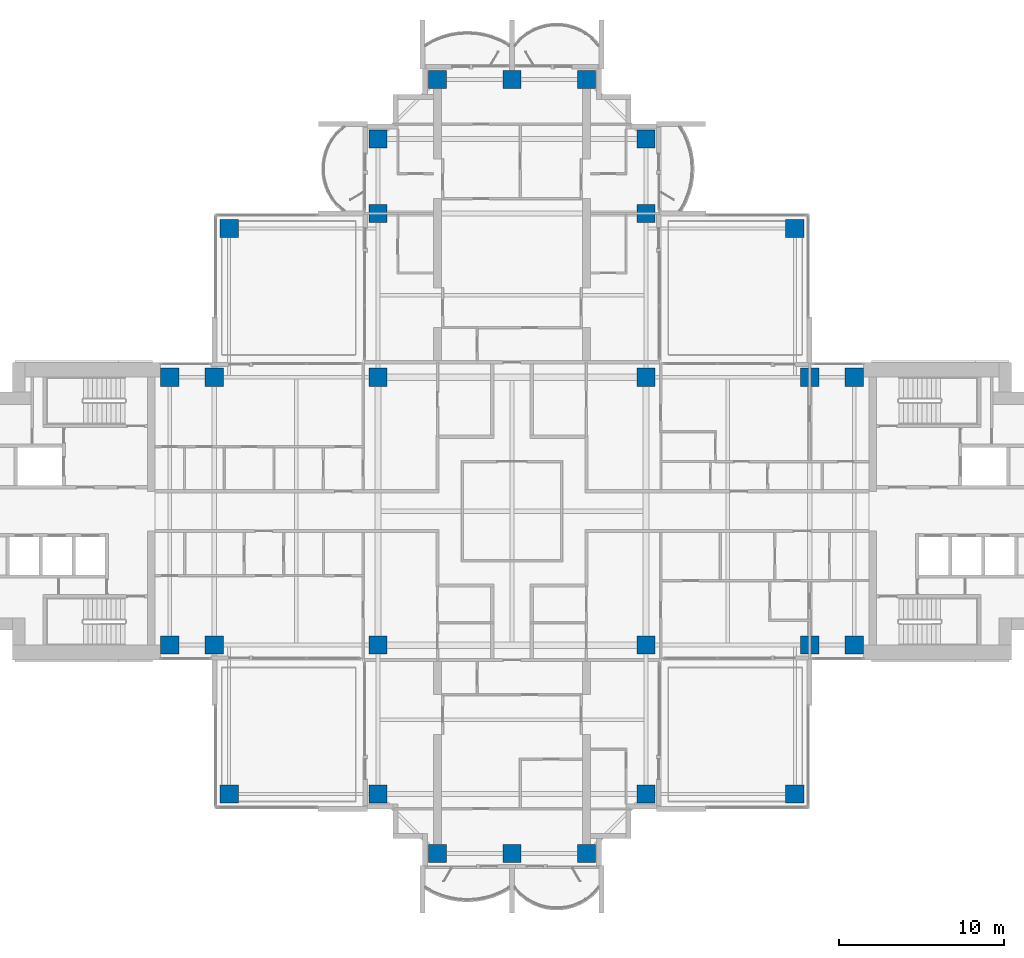
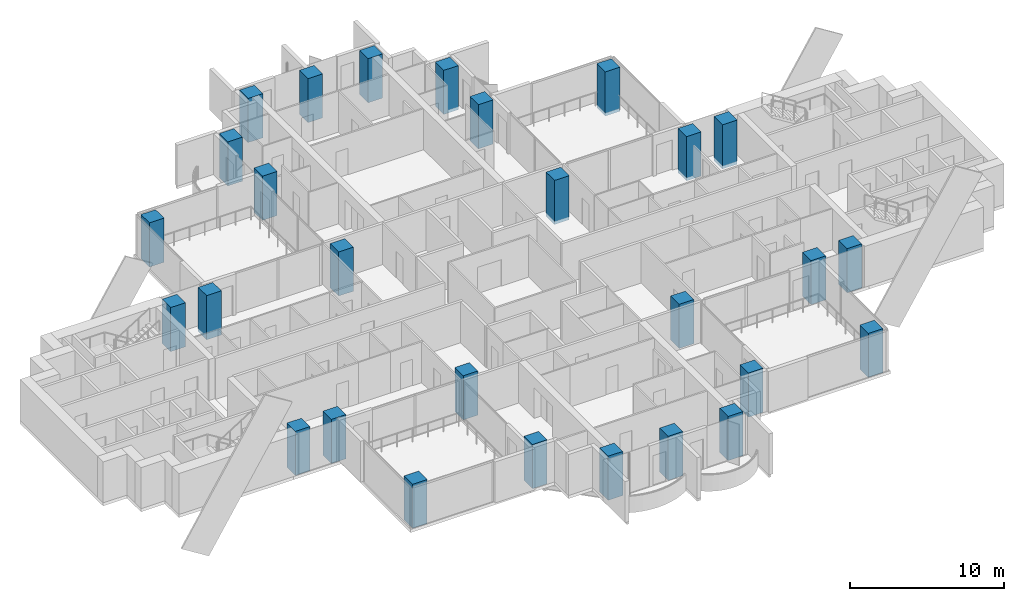
# One storey, part 1 of 19: 28 columns.
"""IFC4 building model written with IfcOpenShell, lengths in metres."""

from ifc_helpers import new_model, si_unit, direction, frame, origin, origin_2d, place, context, subcontext, project, spatial, rectangle, extrude, material, material_profile, profile_set, type_object, element, save


model = new_model("IFC4")

# Units and contexts
model_context = context("Model", 3, precision=1e-05, world=origin(), true_north=direction((0.0, 1.0)))
body_context = subcontext(model_context, "Body", "Model", "MODEL_VIEW")
ifc_project = project(units=[si_unit("LENGTHUNIT", "METRE"), si_unit("AREAUNIT", "SQUARE_METRE"), si_unit("VOLUMEUNIT", "CUBIC_METRE"), si_unit("PLANEANGLEUNIT", "RADIAN"), si_unit("MASSUNIT", "GRAM", prefix="KILO")], contexts=[model_context])

# Site, building, storey
site_placement = place(None, origin())
site = spatial("IfcSite", under=ifc_project, at=site_placement, CompositionType="ELEMENT")
building_placement = place(site_placement, origin())
building = spatial("IfcBuilding", under=site, at=building_placement, Name="Perihelion Cross Residences", CompositionType="ELEMENT")
storey_placement = place(building_placement, frame((0.0, 0.0, 147.89990234375)))
storey = spatial("IfcBuildingStorey", under=building, at=storey_placement, Name="L36", CompositionType="ELEMENT", Elevation=147.89990234375)

# Columns
ifc_material = material(Name="Concrete C60/75", Category="concrete")
ifc_material_profile = material_profile(ifc_material, rectangle(XDim=1.10009765625, YDim=1.10009765625, at=origin_2d()), Name="RC 1100x1100")
ifc_profile_set = profile_set([ifc_material_profile], Name="Concrete C60/75")
column_type = type_object("IfcColumnType", Name="Reinforced concrete column 1100x1100 C60/75", PredefinedType="COLUMN", material=ifc_profile_set)
for number, where, z_axis, x_axis, name in (
    (1, (-20.699951171875, -8.10009765625, -0.25), (0.0, 0.0, 1.0), (1.0, 0.0, 0.0), "Column C017 L36 no. 1"),
    (2, (-20.699951171875, 8.10009765625, -0.25), (0.0, 0.0, 1.0), (1.0, 0.0, 0.0), "Column C010 L36 no. 1"),
    (3, (-18.0, -8.10009765625, -0.25), (0.0, 0.0, 1.0), (1.0, 0.0, 0.0), "Column C018 L36 no. 1"),
    (4, (-18.0, 8.10009765625, -0.25), (0.0, 0.0, 1.0), (1.0, 0.0, 0.0), "Column C011 L36 no. 1"),
    (5, (-8.10009765625, -17.10009765625, -0.25), (0.0, 0.0, 1.0), (1.0, 0.0, 0.0), "Column C031 L36 no. 1"),
    (6, (-8.10009765625, -8.10009765625, -0.25), (0.0, 0.0, 1.0), (1.0, 0.0, 0.0), "Column C019 L36 no. 1"),
    (7, (-8.10009765625, 8.10009765625, -0.25), (0.0, 0.0, 1.0), (1.0, 0.0, 0.0), "Column C012 L36 no. 1"),
    (8, (-8.10009765625, 18.0, -0.25), (0.0, 0.0, 1.0), (1.0, 0.0, 0.0), "Column C006 L36 no. 1"),
    (9, (-8.10009765625, 22.5, -0.25), (0.0, 0.0, 1.0), (1.0, 0.0, 0.0), "Column C004 L36 no. 1"),
    (10, (-4.5, -20.699951171875, -0.25), (0.0, 0.0, 1.0), (1.0, 0.0, 0.0), "Column C037 L36 no. 1"),
    (11, (-4.5, 26.10009765625, -0.25), (0.0, 0.0, 1.0), (1.0, 0.0, 0.0), "Column C001 L36 no. 1"),
    (12, (0.0, -20.699951171875, -0.25), (0.0, 0.0, 1.0), (1.0, 0.0, 0.0), "Column C038 L36 no. 1"),
    (13, (0.0, 26.10009765625, -0.25), (0.0, 0.0, 1.0), (1.0, 0.0, 0.0), "Column C002 L36 no. 1"),
    (14, (4.5, -20.699951171875, -0.25), (0.0, 0.0, 1.0), (1.0, 0.0, 0.0), "Column C039 L36 no. 1"),
    (15, (4.5, 26.10009765625, -0.25), (0.0, 0.0, 1.0), (1.0, 0.0, 0.0), "Column C003 L36 no. 1"),
    (16, (8.10009765625, -17.10009765625, -0.25), (0.0, 0.0, 1.0), (1.0, 0.0, 0.0), "Column C035 L36 no. 1"),
    (17, (8.10009765625, -8.10009765625, -0.25), (0.0, 0.0, 1.0), (1.0, 0.0, 0.0), "Column C020 L36 no. 1"),
    (18, (8.10009765625, 8.10009765625, -0.25), (0.0, 0.0, 1.0), (1.0, 0.0, 0.0), "Column C014 L36 no. 1"),
    (19, (8.10009765625, 18.0, -0.25), (0.0, 0.0, 1.0), (1.0, 0.0, 0.0), "Column C007 L36 no. 1"),
    (20, (8.10009765625, 22.5, -0.25), (0.0, 0.0, 1.0), (1.0, 0.0, 0.0), "Column C005 L36 no. 1"),
    (21, (18.0, -8.10009765625, -0.25), (0.0, 0.0, 1.0), (1.0, 0.0, 0.0), "Column C021 L36 no. 1"),
    (22, (18.0, 8.10009765625, -0.25), (0.0, 0.0, 1.0), (1.0, 0.0, 0.0), "Column C015 L36 no. 1"),
    (23, (20.699951171875, -8.10009765625, -0.25), (0.0, 0.0, 1.0), (1.0, 0.0, 0.0), "Column C022 L36 no. 1"),
    (24, (20.699951171875, 8.10009765625, -0.25), (0.0, 0.0, 1.0), (1.0, 0.0, 0.0), "Column C016 L36 no. 1"),
    (25, (17.10009765625, 17.10009765625, -0.25), (0.0, 0.0, 1.0), (1.0, 0.0, 0.0), "Column C009 L36 no. 1"),
    (26, (-17.10009765625, 17.10009765625, -0.25), (0.0, 0.0, 1.0), (1.0, 0.0, 0.0), "Column C008 L36 no. 1"),
    (27, (-17.10009765625, -17.10009765625, -0.25), (0.0, 0.0, 1.0), (1.0, 0.0, 0.0), "Column C030 L36 no. 1"),
    (28, (17.10009765625, -17.10009765625, -0.25), (0.0, 0.0, 1.0), (1.0, 0.0, 0.0), "Column C036 L36 no. 1"),
):
    element("IfcColumn", number, at=place(storey_placement, frame(where, z_axis=z_axis, x_axis=x_axis)), inside=storey, type_object=column_type, Name=name, PredefinedType="COLUMN", context=body_context, shape_type="SweptSolid", body=[
        extrude(rectangle(XDim=1.10009765625, YDim=1.10009765625, at=origin_2d()), origin(), (0.0, 0.0, 1.0), 3.5),
    ])

save(model, "model.ifc")
